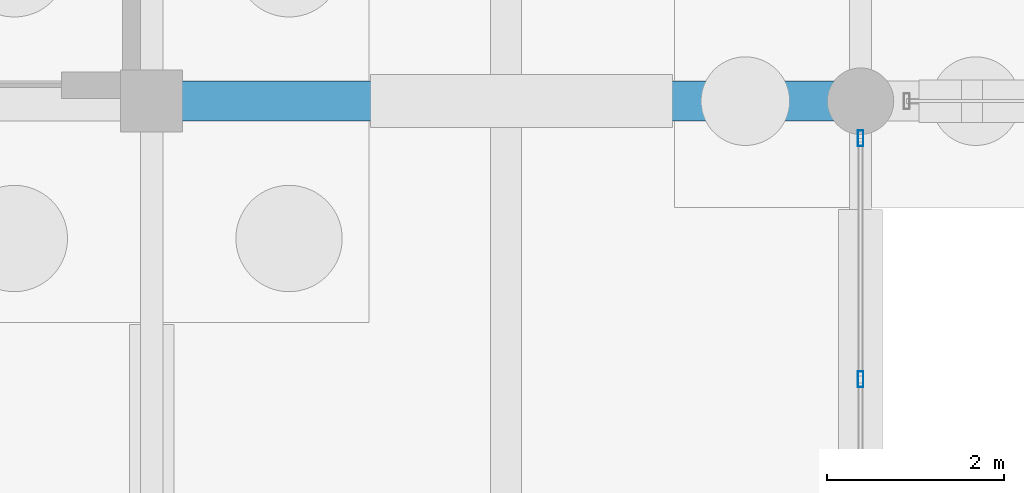
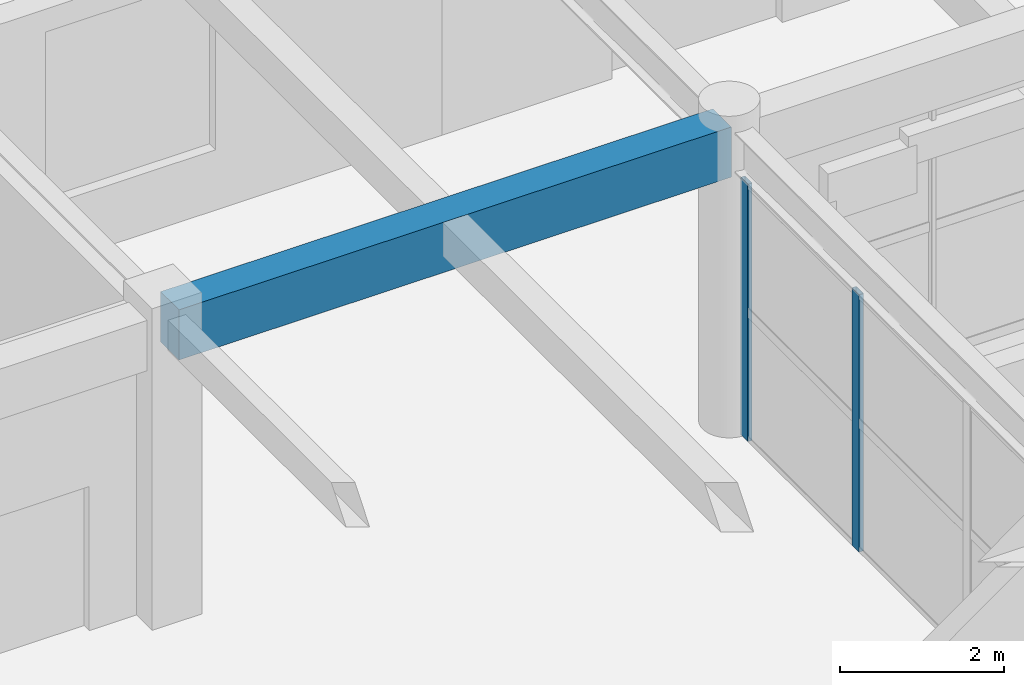
# One storey, part 54 of 147: 2 members, 1 beam, 1 element without a shape of its own.
"""IFC4 building model written with IfcOpenShell, lengths in metres."""

from ifc_helpers import new_model, si_unit, direction, frame, origin, origin_2d, place, context, subcontext, project, spatial, rectangle, hollow_rectangle, extrude, material, material_profile, profile_set, type_object, element, aggregate, save


model = new_model("IFC4")

# Units and contexts
model_context = context("Model", 3, precision=1e-05, world=origin(), true_north=direction((0.0, 1.0)))
body_context = subcontext(model_context, "Body", "Model", "MODEL_VIEW")
ifc_project = project(units=[si_unit("LENGTHUNIT", "METRE"), si_unit("AREAUNIT", "SQUARE_METRE"), si_unit("VOLUMEUNIT", "CUBIC_METRE"), si_unit("PLANEANGLEUNIT", "RADIAN"), si_unit("MASSUNIT", "GRAM", prefix="KILO")], contexts=[model_context])

# Site, building, storey
site_placement = place(None, origin())
site = spatial("IfcSite", under=ifc_project, at=site_placement, CompositionType="ELEMENT")
building_placement = place(site_placement, origin())
building = spatial("IfcBuilding", under=site, at=building_placement, Name="Varnabhumi Central Station", CompositionType="ELEMENT")
storey_placement = place(building_placement, origin())
storey = spatial("IfcBuildingStorey", under=building, at=storey_placement, Name="L00", CompositionType="ELEMENT", Elevation=0.0)

# Beam
ifc_material_1 = material(Name="Concrete M40", Category="concrete")
ifc_material_profile_1 = material_profile(ifc_material_1, rectangle(XDim=0.449951171875, YDim=0.75, at=origin_2d()), Name="Concrete M40", Category="concrete")
ifc_profile_set_1 = profile_set([ifc_material_profile_1], Name="Concrete M40")
beam_type = type_object("IfcBeamType", Name="BM-RC-450x750", PredefinedType="BEAM", material=ifc_profile_set_1)
beam_placement = place(storey_placement, frame((40.10009765625, 107.0, 4.175048828125), z_axis=(1.0, 0.0, 0.0), x_axis=(0.0, 1.0, 0.0)))
element("IfcBeam", 1, at=beam_placement, inside=storey, type_object=beam_type, Name="Beam L00-N:6-7", PredefinedType="BEAM", context=body_context, shape_type="SweptSolid", body=[
    extrude(rectangle(XDim=0.449951171875, YDim=0.75, at=origin_2d()), origin(), (0.0, 0.0, 1.0), 7.7998046875),
])

# Curtain wall, members
ifc_material_2 = material(Name="Anodised aluminium 6063-T6", Category="aluminium")
curtain_wall_type = type_object("IfcCurtainWallType", Name="CW-PATIO-LOGGIA-L0", PredefinedType="NOTDEFINED", material=ifc_material_2)
curtain_wall_placement = place(storey_placement, origin())
curtain_wall = element("IfcCurtainWall", 2, at=curtain_wall_placement, inside=storey, type_object=curtain_wall_type, Name="Curtain Wall CW-NP0E2", PredefinedType="NOTDEFINED")
ifc_material_profile_2 = material_profile(ifc_material_2, hollow_rectangle(XDim=0.06494140625, YDim=0.179931640625, WallThickness=0.00390625, InnerFilletRadius=0.001953125, OuterFilletRadius=0.006103515625, at=origin_2d()), Name="Anodised aluminium 6063-T6", Category="aluminium")
ifc_profile_set_2 = profile_set([ifc_material_profile_2], Name="Anodised aluminium 6063-T6")
member_type = type_object("IfcMemberType", Name="CW-MUL-180", PredefinedType="MULLION", material=ifc_profile_set_2)
member_1_placement = place(storey_placement, frame((48.0, 103.860107421875, 0.0), z_axis=(0.0, 0.0, 1.0), x_axis=(1.0, 0.0, 0.0)))
member_1 = element("IfcMember", 3, at=member_1_placement, type_object=member_type, Name="Curtain Wall Mullion CW-NP0E2-M3", PredefinedType="MULLION", context=body_context, shape_type="SweptSolid", body=[
    extrude(hollow_rectangle(XDim=0.06494140625, YDim=0.179931640625, WallThickness=0.00390625, InnerFilletRadius=0.001953125, OuterFilletRadius=0.006103515625, at=origin_2d()), origin(), (0.0, 0.0, 1.0), 3.840087890625),
])
member_2_placement = place(storey_placement, frame((48.0, 106.580078125, 0.0), z_axis=(0.0, 0.0, 1.0), x_axis=(1.0, 0.0, 0.0)))
member_2 = element("IfcMember", 4, at=member_2_placement, type_object=member_type, Name="Curtain Wall Mullion CW-NP0E2-M4", PredefinedType="MULLION", context=body_context, shape_type="SweptSolid", body=[
    extrude(hollow_rectangle(XDim=0.06494140625, YDim=0.179931640625, WallThickness=0.00390625, InnerFilletRadius=0.001953125, OuterFilletRadius=0.006103515625, at=origin_2d()), origin(), (0.0, 0.0, 1.0), 3.840087890625),
])
aggregate(curtain_wall, [member_1, member_2])

save(model, "model.ifc")
